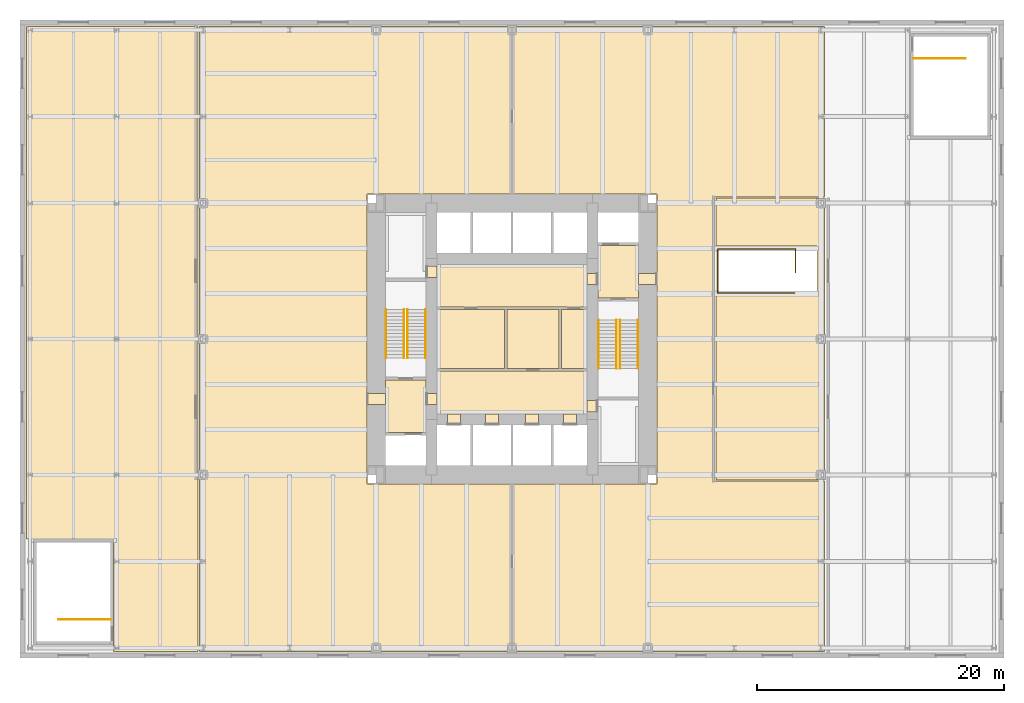
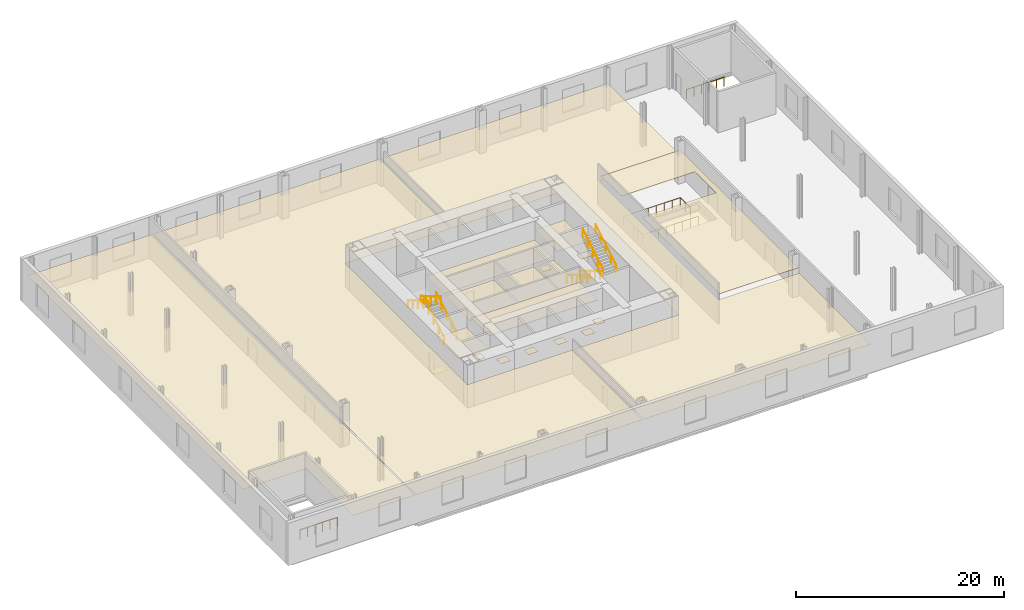
# One storey, part 12 of 12: 21 coverings, 11 railings.
"""IFC4 building model written with IfcOpenShell, lengths in metres."""

from ifc_helpers import new_model, si_unit, direction, frame, origin, origin_2d, place, context, subcontext, project, spatial, polyline, circle, outline, extrude, material, layer, layer_set, type_object, element, save


model = new_model("IFC4")

# Units and contexts
model_context = context("Model", 3, precision=1e-05, world=origin(), true_north=direction((0.0, 1.0)))
body_context = subcontext(model_context, "Body", "Model", "MODEL_VIEW")
ifc_project = project(units=[si_unit("LENGTHUNIT", "METRE"), si_unit("AREAUNIT", "SQUARE_METRE"), si_unit("VOLUMEUNIT", "CUBIC_METRE"), si_unit("PLANEANGLEUNIT", "RADIAN"), si_unit("MASSUNIT", "GRAM", prefix="KILO")], contexts=[model_context])

# Site, building, storey
site_placement = place(None, origin())
site = spatial("IfcSite", under=ifc_project, at=site_placement, CompositionType="ELEMENT")
building_placement = place(site_placement, origin())
building = spatial("IfcBuilding", under=site, at=building_placement, Name="Trevanion Tower", CompositionType="ELEMENT")
storey_placement = place(building_placement, frame((0.0, 0.0, 11.0)))
storey = spatial("IfcBuildingStorey", under=building, at=storey_placement, Name="L02", CompositionType="ELEMENT", Elevation=11.0)

# Coverings
ifc_material_1 = material(Name="Fibrous plaster coffers on suspended steel grid", Category="steel")
ifc_layer_1 = layer(ifc_material_1, 0.050048828125)
ifc_layer_set_1 = layer_set([ifc_layer_1], Name="CL1 coffered fibrous plaster ceiling 50")
covering_type_1 = type_object("IfcCoveringType", Name="CL1 coffered fibrous plaster ceiling 50", PredefinedType="CEILING", material=ifc_layer_set_1)
covering_1_placement = place(storey_placement, frame((0.0, 0.0, 3.0)))
element("IfcCovering", 1, at=covering_1_placement, inside=storey, type_object=covering_type_1, Name="CL1 L02-LBS", PredefinedType="CEILING", context=body_context, shape_type="SweptSolid", body=[
    extrude(outline(polyline([(-6.050048828125, -6.050048828125), (-6.050048828125, -2.60009765625), (6.050048828125, -2.60009765625), (6.050048828125, -6.050048828125), (-6.050048828125, -6.050048828125)])), origin(), (0.0, 0.0, 1.0), 0.050048828125),
])
covering_2_placement = place(storey_placement, frame((0.0, 0.0, 3.300048828125)))
element("IfcCovering", 2, at=covering_2_placement, inside=storey, type_object=covering_type_1, Name="CL1 L02-FR", PredefinedType="CEILING", context=body_context, shape_type="SweptSolid", body=[
    extrude(outline(polyline([(16.5, -11.39990234375), (16.5, 3.469970703125), (24.679931640625, 3.469970703125), (24.679931640625, 7.530029296875), (16.5, 7.530029296875), (16.5, 11.39990234375), (25.300048828125, 11.39990234375), (25.300048828125, -11.39990234375), (16.5, -11.39990234375)])), origin(), (0.0, 0.0, 1.0), 0.050048828125),
])
ifc_material_2 = material(Name="Mineral fibre acoustic tiles in exposed grid", Category="mineral fibre")
ifc_layer_2 = layer(ifc_material_2, 0.02001953125)
ifc_layer_set_2 = layer_set([ifc_layer_2], Name="CL2 acoustic tile ceiling 20")
covering_type_2 = type_object("IfcCoveringType", Name="CL2 acoustic tile ceiling 20", PredefinedType="CEILING", material=ifc_layer_set_2)
covering_3_placement = place(storey_placement, frame((0.0, 0.0, 2.75)))
element("IfcCovering", 3, at=covering_3_placement, inside=storey, type_object=covering_type_2, Name="CL2 L02-LBN", PredefinedType="CEILING", context=body_context, shape_type="SweptSolid", body=[
    extrude(outline(polyline([(-6.050048828125, 2.60009765625), (-6.050048828125, 6.050048828125), (6.050048828125, 6.050048828125), (6.050048828125, 2.60009765625), (-6.050048828125, 2.60009765625)])), origin(), (0.0, 0.0, 1.0), 0.02001953125),
])
covering_4_placement = place(storey_placement, frame((0.0, 0.0, 2.75)))
element("IfcCovering", 4, at=covering_4_placement, inside=storey, type_object=covering_type_2, Name="CL2 L02-OF", PredefinedType="CEILING", context=body_context, shape_type="SweptSolid", body=[
    extrude(outline(polyline([(-25.300048828125, 25.300048828125), (-0.074951171875, 25.300048828125), (-0.074951171875, 11.75), (-11.75, 11.75), (-11.75, -11.75), (-0.074951171875, -11.75), (-0.074951171875, -25.300048828125), (-25.300048828125, -25.300048828125), (-25.300048828125, 25.300048828125)])), origin(), (0.0, 0.0, 1.0), 0.02001953125),
])
covering_5_placement = place(storey_placement, frame((0.0, 0.0, 2.75)))
element("IfcCovering", 5, at=covering_5_placement, inside=storey, type_object=covering_type_2, Name="CL2 L02-FS", PredefinedType="CEILING", context=body_context, shape_type="SweptSolid", body=[
    extrude(outline(polyline([(16.39990234375, 11.5), (16.39990234375, -11.5), (25.300048828125, -11.5), (25.300048828125, -25.300048828125), (0.074951171875, -25.300048828125), (0.074951171875, -11.75), (11.75, -11.75), (11.75, 11.75), (0.074951171875, 11.75), (0.074951171875, 25.300048828125), (25.300048828125, 25.300048828125), (25.300048828125, 11.5), (16.39990234375, 11.5)])), origin(), (0.0, 0.0, 1.0), 0.02001953125),
])
covering_6_placement = place(storey_placement, frame((0.0, 0.0, 2.75)))
element("IfcCovering", 6, at=covering_6_placement, inside=storey, type_object=covering_type_2, Name="CL2 L02-OW", PredefinedType="CEILING", context=body_context, shape_type="SweptSolid", body=[
    extrude(outline(polyline([(-25.39990234375, -25.300048828125), (-32.25, -25.300048828125), (-32.25, -16.18994140625), (-39.300048828125, -16.18994140625), (-39.300048828125, 25.300048828125), (-25.39990234375, 25.300048828125), (-25.39990234375, -25.300048828125)])), origin(), (0.0, 0.0, 1.0), 0.02001953125),
])
ifc_material_3 = material(Name="Gypsum plasterboard on suspended metal furring", Category="gypsum")
ifc_layer_3 = layer(ifc_material_3, 0.012939453125)
ifc_layer_set_3 = layer_set([ifc_layer_3], Name="CL3 plasterboard ceiling 13")
covering_type_3 = type_object("IfcCoveringType", Name="CL3 plasterboard ceiling 13", PredefinedType="CEILING", material=ifc_layer_set_3)
covering_7_placement = place(storey_placement, frame((0.0, 0.0, 2.699951171875)))
element("IfcCovering", 7, at=covering_7_placement, inside=storey, type_object=covering_type_3, Name="CL3 L02-FV1", PredefinedType="CEILING", context=body_context, shape_type="SweptSolid", body=[
    extrude(outline(polyline([(6.949951171875, 3.324951171875), (6.949951171875, 7.574951171875), (10.25, 7.574951171875), (10.25, 3.324951171875), (6.949951171875, 3.324951171875)])), origin(), (0.0, 0.0, 1.0), 0.012939453125),
])
covering_8_placement = place(storey_placement, frame((0.0, 0.0, 2.699951171875)))
element("IfcCovering", 8, at=covering_8_placement, inside=storey, type_object=covering_type_3, Name="CL3 L02-FV2", PredefinedType="CEILING", context=body_context, shape_type="SweptSolid", body=[
    extrude(outline(polyline([(-6.949951171875, -3.324951171875), (-6.949951171875, -7.574951171875), (-10.25, -7.574951171875), (-10.25, -3.324951171875), (-6.949951171875, -3.324951171875)])), origin(), (0.0, 0.0, 1.0), 0.012939453125),
])
ifc_material_4 = material(Name="Moisture-resistant gypsum board on suspended metal furring", Category="gypsum")
ifc_layer_4 = layer(ifc_material_4, 0.01611328125)
ifc_layer_set_4 = layer_set([ifc_layer_4], Name="CL4 moisture-resistant board ceiling 16")
covering_type_4 = type_object("IfcCoveringType", Name="CL4 moisture-resistant board ceiling 16", PredefinedType="CEILING", material=ifc_layer_set_4)
covering_9_placement = place(storey_placement, frame((0.0, 0.0, 2.60009765625)))
element("IfcCovering", 9, at=covering_9_placement, inside=storey, type_object=covering_type_4, Name="CL4 L02-WCM", PredefinedType="CEILING", context=body_context, shape_type="SweptSolid", body=[
    extrude(outline(polyline([(-6.050048828125, -2.39990234375), (-6.050048828125, 2.39990234375), (-0.60009765625, 2.39990234375), (-0.60009765625, -2.39990234375), (-6.050048828125, -2.39990234375)])), origin(), (0.0, 0.0, 1.0), 0.015869140625),
])
covering_10_placement = place(storey_placement, frame((0.0, 0.0, 2.60009765625)))
element("IfcCovering", 10, at=covering_10_placement, inside=storey, type_object=covering_type_4, Name="CL4 L02-WCF", PredefinedType="CEILING", context=body_context, shape_type="SweptSolid", body=[
    extrude(outline(polyline([(-0.39990234375, -2.39990234375), (-0.39990234375, 2.39990234375), (3.800048828125, 2.39990234375), (3.800048828125, -2.39990234375), (-0.39990234375, -2.39990234375)])), origin(), (0.0, 0.0, 1.0), 0.015869140625),
])
covering_11_placement = place(storey_placement, frame((0.0, 0.0, 2.60009765625)))
element("IfcCovering", 11, at=covering_11_placement, inside=storey, type_object=covering_type_4, Name="CL4 L02-WCA", PredefinedType="CEILING", context=body_context, shape_type="SweptSolid", body=[
    extrude(outline(polyline([(4.0, -2.39990234375), (4.0, 2.39990234375), (6.050048828125, 2.39990234375), (6.050048828125, -2.39990234375), (4.0, -2.39990234375)])), origin(), (0.0, 0.0, 1.0), 0.015869140625),
])
ifc_material_5 = material(Name="Terrazzo, brass divider strips", Category="stone")
ifc_layer_5 = layer(ifc_material_5, 0.02001953125)
ifc_layer_set_5 = layer_set([ifc_layer_5], Name="FF1 terrazzo flooring")
covering_type_5 = type_object("IfcCoveringType", Name="FF1 terrazzo flooring", PredefinedType="FLOORING", material=ifc_layer_set_5)
covering_12_placement = place(storey_placement, origin())
element("IfcCovering", 12, at=covering_12_placement, inside=storey, type_object=covering_type_5, Name="FF1 threshold 02-001", PredefinedType="FLOORING", context=body_context, shape_type="SweptSolid", body=[
    extrude(outline(polyline([(11.75, 4.392578125), (11.75, 5.3076171875), (10.25, 5.3076171875), (10.25, 4.392578125), (11.75, 4.392578125)])), origin(), (0.0, 0.0, 1.0), 0.02001953125),
])
covering_13_placement = place(storey_placement, origin())
element("IfcCovering", 13, at=covering_13_placement, inside=storey, type_object=covering_type_5, Name="FF1 threshold 02-002", PredefinedType="FLOORING", context=body_context, shape_type="SweptSolid", body=[
    extrude(outline(polyline([(-11.75, -4.392578125), (-11.75, -5.3076171875), (-10.25, -5.3076171875), (-10.25, -4.392578125), (-11.75, -4.392578125)])), origin(), (0.0, 0.0, 1.0), 0.02001953125),
])
covering_14_placement = place(storey_placement, origin())
element("IfcCovering", 14, at=covering_14_placement, inside=storey, type_object=covering_type_5, Name="FF1 threshold 02-003", PredefinedType="FLOORING", context=body_context, shape_type="SweptSolid", body=[
    extrude(outline(polyline([(6.949951171875, 4.392578125), (6.949951171875, 5.3076171875), (6.050048828125, 5.3076171875), (6.050048828125, 4.392578125), (6.949951171875, 4.392578125)])), origin(), (0.0, 0.0, 1.0), 0.02001953125),
])
covering_15_placement = place(storey_placement, origin())
element("IfcCovering", 15, at=covering_15_placement, inside=storey, type_object=covering_type_5, Name="FF1 threshold 02-004", PredefinedType="FLOORING", context=body_context, shape_type="SweptSolid", body=[
    extrude(outline(polyline([(-6.949951171875, -4.392578125), (-6.949951171875, -5.3076171875), (-6.050048828125, -5.3076171875), (-6.050048828125, -4.392578125), (-6.949951171875, -4.392578125)])), origin(), (0.0, 0.0, 1.0), 0.02001953125),
])
covering_16_placement = place(storey_placement, origin())
element("IfcCovering", 16, at=covering_16_placement, inside=storey, type_object=covering_type_5, Name="FF1 threshold 02-009", PredefinedType="FLOORING", context=body_context, shape_type="SweptSolid", body=[
    extrude(outline(polyline([(6.949951171875, -5.889892578125), (6.949951171875, -4.97509765625), (6.050048828125, -4.97509765625), (6.050048828125, -5.889892578125), (6.949951171875, -5.889892578125)])), origin(), (0.0, 0.0, 1.0), 0.02001953125),
])
covering_17_placement = place(storey_placement, origin())
element("IfcCovering", 17, at=covering_17_placement, inside=storey, type_object=covering_type_5, Name="FF1 threshold 02-010", PredefinedType="FLOORING", context=body_context, shape_type="SweptSolid", body=[
    extrude(outline(polyline([(-6.949951171875, 5.889892578125), (-6.949951171875, 4.97509765625), (-6.050048828125, 4.97509765625), (-6.050048828125, 5.889892578125), (-6.949951171875, 5.889892578125)])), origin(), (0.0, 0.0, 1.0), 0.02001953125),
])
covering_18_placement = place(storey_placement, origin())
element("IfcCovering", 18, at=covering_18_placement, inside=storey, type_object=covering_type_5, Name="FF1 threshold 02-011", PredefinedType="FLOORING", context=body_context, shape_type="SweptSolid", body=[
    extrude(outline(polyline([(-5.2333984375, -6.949951171875), (-4.16650390625, -6.949951171875), (-4.16650390625, -6.050048828125), (-5.2333984375, -6.050048828125), (-5.2333984375, -6.949951171875)])), origin(), (0.0, 0.0, 1.0), 0.02001953125),
])
covering_19_placement = place(storey_placement, origin())
element("IfcCovering", 19, at=covering_19_placement, inside=storey, type_object=covering_type_5, Name="FF1 threshold 02-012", PredefinedType="FLOORING", context=body_context, shape_type="SweptSolid", body=[
    extrude(outline(polyline([(-2.158447265625, -6.949951171875), (-1.091552734375, -6.949951171875), (-1.091552734375, -6.050048828125), (-2.158447265625, -6.050048828125), (-2.158447265625, -6.949951171875)])), origin(), (0.0, 0.0, 1.0), 0.02001953125),
])
covering_20_placement = place(storey_placement, origin())
element("IfcCovering", 20, at=covering_20_placement, inside=storey, type_object=covering_type_5, Name="FF1 threshold 02-013", PredefinedType="FLOORING", context=body_context, shape_type="SweptSolid", body=[
    extrude(outline(polyline([(1.091552734375, -6.949951171875), (2.158447265625, -6.949951171875), (2.158447265625, -6.050048828125), (1.091552734375, -6.050048828125), (1.091552734375, -6.949951171875)])), origin(), (0.0, 0.0, 1.0), 0.02001953125),
])
covering_21_placement = place(storey_placement, origin())
element("IfcCovering", 21, at=covering_21_placement, inside=storey, type_object=covering_type_5, Name="FF1 threshold 02-014", PredefinedType="FLOORING", context=body_context, shape_type="SweptSolid", body=[
    extrude(outline(polyline([(4.16650390625, -6.949951171875), (5.2333984375, -6.949951171875), (5.2333984375, -6.050048828125), (4.16650390625, -6.050048828125), (4.16650390625, -6.949951171875)])), origin(), (0.0, 0.0, 1.0), 0.02001953125),
])

# Railings
ifc_material_6 = material(Name="Painted steel balusters and stainless steel top rail", Category="steel")
railing_type_1 = type_object("IfcRailingType", Name="GR1 stair guard 1100", PredefinedType="GUARDRAIL", material=ifc_material_6)
railing_1_placement = place(storey_placement, frame((32.5, 22.705078125, 0.0)))
element("IfcRailing", 22, at=railing_1_placement, inside=storey, type_object=railing_type_1, Name="GR1 ST3 L02 top landing guard", PredefinedType="GUARDRAIL", context=body_context, shape_type="SweptSolid", body=[
    extrude(circle(Radius=0.02490234375, at=origin_2d()), frame((0.0, 0.0, 1.0751953125), z_axis=(1.0, 0.0, 0.0), x_axis=(0.0, 1.0, 0.0)), (0.0, 0.0, 1.0), 4.18994140625),
    extrude(circle(Radius=0.02001953125, at=origin_2d()), origin(), (0.0, 0.0, 1.0), 1.050048828125),
    extrude(circle(Radius=0.02001953125, at=origin_2d()), frame((0.837890625, 0.0, 0.0)), (0.0, 0.0, 1.0), 1.050048828125),
    extrude(circle(Radius=0.02001953125, at=origin_2d()), frame((1.676025390625, 0.0, 0.0)), (0.0, 0.0, 1.0), 1.050048828125),
    extrude(circle(Radius=0.02001953125, at=origin_2d()), frame((2.513916015625, 0.0, 0.0)), (0.0, 0.0, 1.0), 1.050048828125),
    extrude(circle(Radius=0.02001953125, at=origin_2d()), frame((3.35205078125, 0.0, 0.0)), (0.0, 0.0, 1.0), 1.050048828125),
    extrude(circle(Radius=0.02001953125, at=origin_2d()), frame((4.18994140625, 0.0, 0.0)), (0.0, 0.0, 1.0), 1.050048828125),
])
railing_2_placement = place(storey_placement, frame((-32.5, -22.705078125, 0.0)))
element("IfcRailing", 23, at=railing_2_placement, inside=storey, type_object=railing_type_1, Name="GR1 ST4 L02 top landing guard", PredefinedType="GUARDRAIL", context=body_context, shape_type="SweptSolid", body=[
    extrude(circle(Radius=0.02490234375, at=origin_2d()), frame((0.0, 0.0, 1.0751953125), z_axis=(-1.0, 0.0, 0.0), x_axis=(0.0, -1.0, 0.0)), (0.0, 0.0, 1.0), 4.18994140625),
    extrude(circle(Radius=0.02001953125, at=origin_2d()), origin(), (0.0, 0.0, 1.0), 1.050048828125),
    extrude(circle(Radius=0.02001953125, at=origin_2d()), frame((-0.837890625, 0.0, 0.0)), (0.0, 0.0, 1.0), 1.050048828125),
    extrude(circle(Radius=0.02001953125, at=origin_2d()), frame((-1.676025390625, 0.0, 0.0)), (0.0, 0.0, 1.0), 1.050048828125),
    extrude(circle(Radius=0.02001953125, at=origin_2d()), frame((-2.513916015625, 0.0, 0.0)), (0.0, 0.0, 1.0), 1.050048828125),
    extrude(circle(Radius=0.02001953125, at=origin_2d()), frame((-3.35205078125, 0.0, 0.0)), (0.0, 0.0, 1.0), 1.050048828125),
    extrude(circle(Radius=0.02001953125, at=origin_2d()), frame((-4.18994140625, 0.0, 0.0)), (0.0, 0.0, 1.0), 1.050048828125),
])
ifc_material_7 = material(Name="Cast bronze balusters and bronze top rail", Category="bronze")
railing_type_2 = type_object("IfcRailingType", Name="GR2 grand stair balustrade 1100", PredefinedType="GUARDRAIL", material=ifc_material_7)
railing_3_placement = place(storey_placement, frame((22.929931640625, 5.3701171875, 0.0)))
element("IfcRailing", 24, at=railing_3_placement, inside=storey, type_object=railing_type_2, Name="GR2 GS2 L02 well balustrade", PredefinedType="GUARDRAIL", context=body_context, shape_type="SweptSolid", body=[
    extrude(circle(Radius=0.02490234375, at=origin_2d()), frame((0.0, 0.0, 1.0751953125), z_axis=(0.0, 1.0, 0.0), x_axis=(-1.0, 0.0, 0.0)), (0.0, 0.0, 1.0), 1.909912109375),
    extrude(circle(Radius=0.02490234375, at=origin_2d()), frame((0.0, 1.909912109375, 1.0751953125), z_axis=(-1.0, 0.0, 0.0), x_axis=(0.0, -1.0, 0.0)), (0.0, 0.0, 1.0), 6.280029296875),
    extrude(circle(Radius=0.02490234375, at=origin_2d()), frame((-6.280029296875, 1.909912109375, 1.0751953125), z_axis=(0.0, -1.0, 0.0), x_axis=(1.0, 0.0, 0.0)), (0.0, 0.0, 1.0), 3.56005859375),
    extrude(circle(Radius=0.02490234375, at=origin_2d()), frame((-6.280029296875, -1.650146484375, 1.0751953125), z_axis=(1.0, 0.0, 0.0), x_axis=(0.0, 1.0, 0.0)), (0.0, 0.0, 1.0), 6.22998046875),
    extrude(circle(Radius=0.02001953125, at=origin_2d()), origin(), (0.0, 0.0, 1.0), 1.050048828125),
    extrude(circle(Radius=0.02001953125, at=origin_2d()), frame((0.0, 0.955078125, 0.0)), (0.0, 0.0, 1.0), 1.050048828125),
    extrude(circle(Radius=0.02001953125, at=origin_2d()), frame((0.0, 1.909912109375, 0.0)), (0.0, 0.0, 1.0), 1.050048828125),
    extrude(circle(Radius=0.02001953125, at=origin_2d()), frame((-0.897216796875, 1.909912109375, 0.0)), (0.0, 0.0, 1.0), 1.050048828125),
    extrude(circle(Radius=0.02001953125, at=origin_2d()), frame((-1.794189453125, 1.909912109375, 0.0)), (0.0, 0.0, 1.0), 1.050048828125),
    extrude(circle(Radius=0.02001953125, at=origin_2d()), frame((-2.69140625, 1.909912109375, 0.0)), (0.0, 0.0, 1.0), 1.050048828125),
    extrude(circle(Radius=0.02001953125, at=origin_2d()), frame((-3.588623046875, 1.909912109375, 0.0)), (0.0, 0.0, 1.0), 1.050048828125),
    extrude(circle(Radius=0.02001953125, at=origin_2d()), frame((-4.48583984375, 1.909912109375, 0.0)), (0.0, 0.0, 1.0), 1.050048828125),
    extrude(circle(Radius=0.02001953125, at=origin_2d()), frame((-5.3828125, 1.909912109375, 0.0)), (0.0, 0.0, 1.0), 1.050048828125),
    extrude(circle(Radius=0.02001953125, at=origin_2d()), frame((-6.280029296875, 1.909912109375, 0.0)), (0.0, 0.0, 1.0), 1.050048828125),
    extrude(circle(Radius=0.02001953125, at=origin_2d()), frame((-6.280029296875, 1.02001953125, 0.0)), (0.0, 0.0, 1.0), 1.050048828125),
    extrude(circle(Radius=0.02001953125, at=origin_2d()), frame((-6.280029296875, 0.1298828125, 0.0)), (0.0, 0.0, 1.0), 1.050048828125),
    extrude(circle(Radius=0.02001953125, at=origin_2d()), frame((-6.280029296875, -0.76025390625, 0.0)), (0.0, 0.0, 1.0), 1.050048828125),
    extrude(circle(Radius=0.02001953125, at=origin_2d()), frame((-6.280029296875, -1.650146484375, 0.0)), (0.0, 0.0, 1.0), 1.050048828125),
    extrude(circle(Radius=0.02001953125, at=origin_2d()), frame((-5.39013671875, -1.650146484375, 0.0)), (0.0, 0.0, 1.0), 1.050048828125),
    extrude(circle(Radius=0.02001953125, at=origin_2d()), frame((-4.5, -1.650146484375, 0.0)), (0.0, 0.0, 1.0), 1.050048828125),
    extrude(circle(Radius=0.02001953125, at=origin_2d()), frame((-3.610107421875, -1.650146484375, 0.0)), (0.0, 0.0, 1.0), 1.050048828125),
    extrude(circle(Radius=0.02001953125, at=origin_2d()), frame((-2.719970703125, -1.650146484375, 0.0)), (0.0, 0.0, 1.0), 1.050048828125),
    extrude(circle(Radius=0.02001953125, at=origin_2d()), frame((-1.830078125, -1.650146484375, 0.0)), (0.0, 0.0, 1.0), 1.050048828125),
    extrude(circle(Radius=0.02001953125, at=origin_2d()), frame((-0.93994140625, -1.650146484375, 0.0)), (0.0, 0.0, 1.0), 1.050048828125),
    extrude(circle(Radius=0.02001953125, at=origin_2d()), frame((-0.050048828125, -1.650146484375, 0.0)), (0.0, 0.0, 1.0), 1.050048828125),
])
ifc_material_8 = material(Name="Stainless steel tube 40 mm", Category="steel")
railing_type_3 = type_object("IfcRailingType", Name="HR1 handrail", PredefinedType="HANDRAIL", material=ifc_material_8)
for number, where, name in (
    (25, (7.010009765625, 1.52490234375, 0.166748046875), "HR1 ST1 L02 flight 1"),
    (26, (8.43994140625, 1.52490234375, 0.166748046875), "HR1 ST1 L02 flight 1"),
):
    element("IfcRailing", number, at=place(storey_placement, frame(where)), inside=storey, type_object=railing_type_3, Name=name, PredefinedType="HANDRAIL", context=body_context, shape_type="SweptSolid", body=[
        extrude(circle(Radius=0.02001953125, at=origin_2d()), frame((0.0, 0.0, 0.8798828125), z_axis=(0.0, -0.859296244711, 0.511478214419), x_axis=(1.0, 0.0, 0.0)), (0.0, 0.0, 1.0), 4.561767578125),
        extrude(circle(Radius=0.01513671875, at=origin_2d()), origin(), (0.0, 0.0, 1.0), 0.85986328125),
        extrude(circle(Radius=0.01513671875, at=origin_2d()), frame((0.0, -0.97998046875, 0.583251953125)), (0.0, 0.0, 1.0), 0.85986328125),
        extrude(circle(Radius=0.01513671875, at=origin_2d()), frame((0.0, -1.9599609375, 1.16650390625)), (0.0, 0.0, 1.0), 0.85986328125),
        extrude(circle(Radius=0.01513671875, at=origin_2d()), frame((0.0, -2.93994140625, 1.75)), (0.0, 0.0, 1.0), 0.85986328125),
        extrude(circle(Radius=0.01513671875, at=origin_2d()), frame((0.0, -3.919921875, 2.333251953125)), (0.0, 0.0, 1.0), 0.85986328125),
    ])
for number, where, name in (
    (27, (8.760009765625, -2.39501953125, 2.666748046875), "HR1 ST1 L02 flight 2"),
    (28, (10.18994140625, -2.39501953125, 2.666748046875), "HR1 ST1 L02 flight 2"),
    (29, (-7.010009765625, -1.52490234375, 0.166748046875), "HR1 ST2 L02 flight 1"),
    (30, (-8.43994140625, -1.52490234375, 0.166748046875), "HR1 ST2 L02 flight 1"),
):
    element("IfcRailing", number, at=place(storey_placement, frame(where)), inside=storey, type_object=railing_type_3, Name=name, PredefinedType="HANDRAIL", context=body_context, shape_type="SweptSolid", body=[
        extrude(circle(Radius=0.02001953125, at=origin_2d()), frame((0.0, 0.0, 0.8798828125), z_axis=(0.0, 0.859296244711, 0.511478214419), x_axis=(-1.0, 0.0, 0.0)), (0.0, 0.0, 1.0), 4.561767578125),
        extrude(circle(Radius=0.01513671875, at=origin_2d()), origin(), (0.0, 0.0, 1.0), 0.85986328125),
        extrude(circle(Radius=0.01513671875, at=origin_2d()), frame((0.0, 0.97998046875, 0.583251953125)), (0.0, 0.0, 1.0), 0.85986328125),
        extrude(circle(Radius=0.01513671875, at=origin_2d()), frame((0.0, 1.9599609375, 1.16650390625)), (0.0, 0.0, 1.0), 0.85986328125),
        extrude(circle(Radius=0.01513671875, at=origin_2d()), frame((0.0, 2.93994140625, 1.75)), (0.0, 0.0, 1.0), 0.85986328125),
        extrude(circle(Radius=0.01513671875, at=origin_2d()), frame((0.0, 3.919921875, 2.333251953125)), (0.0, 0.0, 1.0), 0.85986328125),
    ])
for number, where, name in (
    (31, (-8.760009765625, 2.39501953125, 2.666748046875), "HR1 ST2 L02 flight 2"),
    (32, (-10.18994140625, 2.39501953125, 2.666748046875), "HR1 ST2 L02 flight 2"),
):
    element("IfcRailing", number, at=place(storey_placement, frame(where)), inside=storey, type_object=railing_type_3, Name=name, PredefinedType="HANDRAIL", context=body_context, shape_type="SweptSolid", body=[
        extrude(circle(Radius=0.02001953125, at=origin_2d()), frame((0.0, 0.0, 0.8798828125), z_axis=(0.0, -0.859296244711, 0.511478214419), x_axis=(1.0, 0.0, 0.0)), (0.0, 0.0, 1.0), 4.561767578125),
        extrude(circle(Radius=0.01513671875, at=origin_2d()), origin(), (0.0, 0.0, 1.0), 0.85986328125),
        extrude(circle(Radius=0.01513671875, at=origin_2d()), frame((0.0, -0.97998046875, 0.583251953125)), (0.0, 0.0, 1.0), 0.85986328125),
        extrude(circle(Radius=0.01513671875, at=origin_2d()), frame((0.0, -1.9599609375, 1.16650390625)), (0.0, 0.0, 1.0), 0.85986328125),
        extrude(circle(Radius=0.01513671875, at=origin_2d()), frame((0.0, -2.93994140625, 1.75)), (0.0, 0.0, 1.0), 0.85986328125),
        extrude(circle(Radius=0.01513671875, at=origin_2d()), frame((0.0, -3.919921875, 2.333251953125)), (0.0, 0.0, 1.0), 0.85986328125),
    ])

save(model, "model.ifc")
